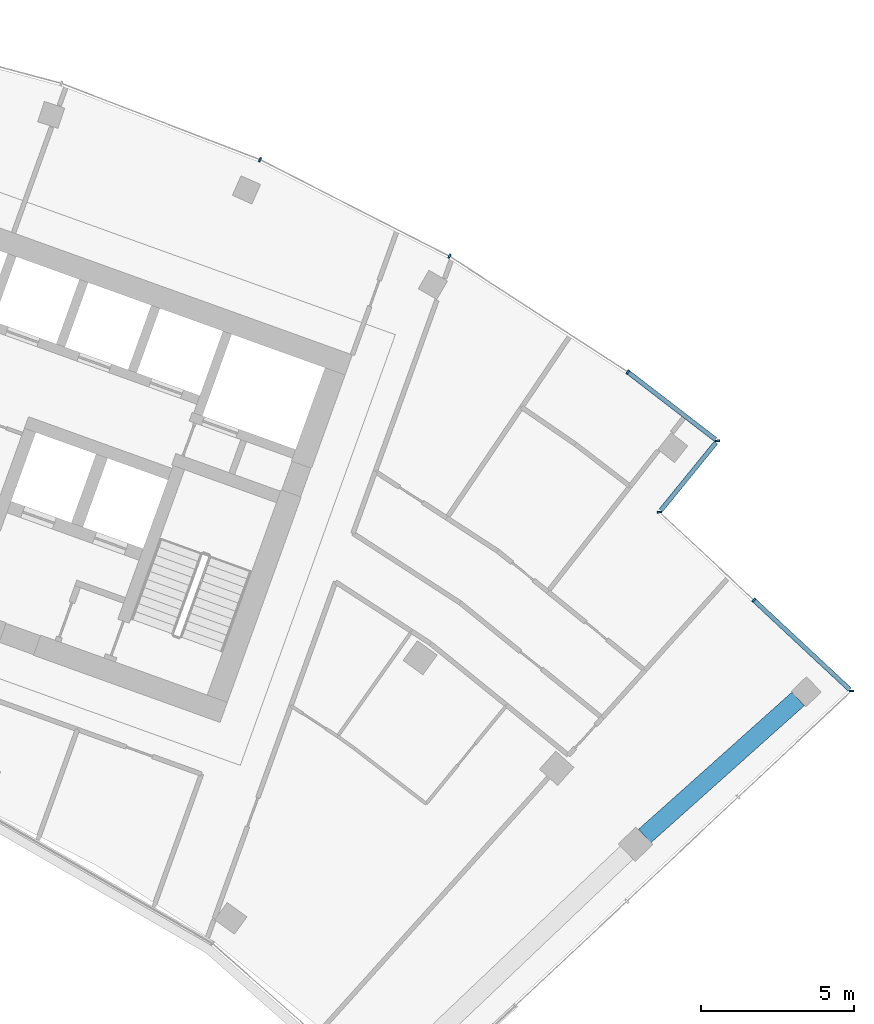
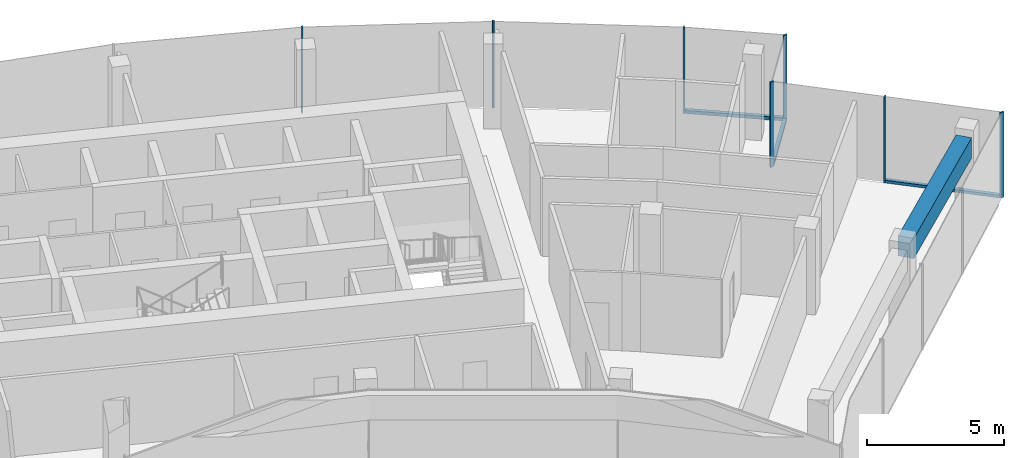
# One storey, part 9 of 18: 10 members, 1 beam, 3 elements without a shape of their own.
"""IFC4 building model written with IfcOpenShell, lengths in metres."""

from ifc_helpers import new_model, si_unit, direction, frame, origin, origin_2d, place, context, subcontext, project, spatial, rectangle, extrude, material, layer, layer_set, material_profile, profile_set, type_object, element, aggregate, save


model = new_model("IFC4")

# Units and contexts
model_context = context("Model", 3, precision=1e-05, world=origin(), true_north=direction((0.0, 1.0)))
body_context = subcontext(model_context, "Body", "Model", "MODEL_VIEW")
ifc_project = project(units=[si_unit("LENGTHUNIT", "METRE"), si_unit("AREAUNIT", "SQUARE_METRE"), si_unit("VOLUMEUNIT", "CUBIC_METRE"), si_unit("PLANEANGLEUNIT", "RADIAN"), si_unit("MASSUNIT", "GRAM", prefix="KILO")], contexts=[model_context])

# Site, building, storey
site_placement = place(None, origin())
site = spatial("IfcSite", under=ifc_project, at=site_placement, CompositionType="ELEMENT")
building_placement = place(site_placement, origin())
building = spatial("IfcBuilding", under=site, at=building_placement, Name="Stone Belt Terrace Tower", CompositionType="ELEMENT")
storey_placement = place(building_placement, frame((0.0, 0.0, 277.0)))
storey = spatial("IfcBuildingStorey", under=building, at=storey_placement, Name="L67", CompositionType="ELEMENT", Elevation=277.0)

# Curtain wall, members
ifc_material_1 = material(Name="Aluminium 6063-T6 anodised frame", Category="aluminium")
ifc_layer_1 = layer(ifc_material_1, 0.14990234375)
ifc_layer_set_1 = layer_set([ifc_layer_1], Name="CW-A unitised convex-face curtain wall")
curtain_wall_type_1 = type_object("IfcCurtainWallType", Name="CW-A unitised convex-face curtain wall", PredefinedType="NOTDEFINED", material=ifc_layer_set_1)
curtain_wall_1_placement = place(storey_placement, origin())
curtain_wall_1 = element("IfcCurtainWall", 1, at=curtain_wall_1_placement, inside=storey, type_object=curtain_wall_type_1, Name="CW-A convex face L67", PredefinedType="NOTDEFINED")
ifc_material_profile_1 = material_profile(ifc_material_1, rectangle(XDim=0.14990234375, YDim=0.06005859375, at=origin_2d()), Name="Aluminium 6063-T6 60x150")
ifc_profile_set_1 = profile_set([ifc_material_profile_1], Name="Aluminium 6063-T6 anodised frame")
member_type_1 = type_object("IfcMemberType", Name="CW-A mullion 60 x 150", PredefinedType="MULLION", material=ifc_profile_set_1)
member_1_placement = place(storey_placement, frame((42.068359375, 51.60205078125, 0.0), z_axis=(0.0, 0.0, 1.0), x_axis=(-0.993258004644, -0.115924700604, 0.0)))
member_1 = element("IfcMember", 2, at=member_1_placement, type_object=member_type_1, Name="CW-A mullion 1", PredefinedType="MULLION", context=body_context, shape_type="SweptSolid", body=[
    extrude(rectangle(XDim=0.14990234375, YDim=0.06005859375, at=origin_2d()), origin(), (0.0, 0.0, 1.0), 3.800048828125),
])
member_2_placement = place(storey_placement, frame((39.131103515625, 53.86083984375, 0.0), z_axis=(0.0, 0.0, 1.0), x_axis=(-0.577587125789, -0.816329046477, 0.0)))
member_2 = element("IfcMember", 3, at=member_2_placement, type_object=member_type_1, Name="CW-A mullion 2", PredefinedType="MULLION", context=body_context, shape_type="SweptSolid", body=[
    extrude(rectangle(XDim=0.14990234375, YDim=0.06005859375, at=origin_2d()), origin(), (0.0, 0.0, 1.0), 3.800048828125),
])
member_3_placement = place(storey_placement, frame((33.28759765625, 57.65576171875, 0.0), z_axis=(0.0, 0.0, 1.0), x_axis=(-0.5, -0.866025403784, 0.0)))
member_3 = element("IfcMember", 4, at=member_3_placement, type_object=member_type_1, Name="CW-A mullion 3", PredefinedType="MULLION", context=body_context, shape_type="SweptSolid", body=[
    extrude(rectangle(XDim=0.14990234375, YDim=0.06005859375, at=origin_2d()), origin(), (0.0, 0.0, 1.0), 3.800048828125),
])
member_4_placement = place(storey_placement, frame((27.07861328125, 60.8193359375, 0.0), z_axis=(0.0, 0.0, 1.0), x_axis=(-0.406736643076, -0.913545457643, 0.0)))
member_4 = element("IfcMember", 5, at=member_4_placement, type_object=member_type_1, Name="CW-A mullion 4", PredefinedType="MULLION", context=body_context, shape_type="SweptSolid", body=[
    extrude(rectangle(XDim=0.14990234375, YDim=0.06005859375, at=origin_2d()), origin(), (0.0, 0.0, 1.0), 3.800048828125),
])
ifc_material_profile_2 = material_profile(ifc_material_1, rectangle(XDim=0.14990234375, YDim=0.139892578125, at=origin_2d()), Name="Aluminium 6063-T6 150x140")
ifc_profile_set_2 = profile_set([ifc_material_profile_2], Name="Aluminium 6063-T6 anodised frame")
member_type_2 = type_object("IfcMemberType", Name="CW-A transom 140 x 150", PredefinedType="USERDEFINED", material=ifc_profile_set_2)
member_5_placement = place(storey_placement, frame((42.00927734375, 51.6474609375, 0.070068359375), z_axis=(-0.79269461464, 0.609618936648, 0.0), x_axis=(-0.609618936648, -0.79269461464, 0.0)))
member_5 = element("IfcMember", 6, at=member_5_placement, type_object=member_type_2, Name="CW-A transom 1.1", ObjectType="TRANSOM", PredefinedType="USERDEFINED", context=body_context, shape_type="SweptSolid", body=[
    extrude(rectangle(XDim=0.14990234375, YDim=0.139892578125, at=origin_2d()), origin(), (0.0, 0.0, 1.0), 3.597900390625),
])
aggregate(curtain_wall_1, [member_1, member_2, member_3, member_4, member_5])

ifc_layer_2 = layer(ifc_material_1, 0.14990234375)
ifc_layer_set_2 = layer_set([ifc_layer_2], Name="CW-C stick curtain wall, horn ends and notches")
curtain_wall_type_2 = type_object("IfcCurtainWallType", Name="CW-C stick curtain wall, horn ends and notches", PredefinedType="NOTDEFINED", material=ifc_layer_set_2)
curtain_wall_2_placement = place(storey_placement, origin())
curtain_wall_2 = element("IfcCurtainWall", 7, at=curtain_wall_2_placement, inside=storey, type_object=curtain_wall_type_2, Name="CW-C notch face L67", PredefinedType="NOTDEFINED")
ifc_material_profile_3 = material_profile(ifc_material_1, rectangle(XDim=0.14990234375, YDim=0.06005859375, at=origin_2d()), Name="Aluminium 6063-T6 60x150")
ifc_profile_set_3 = profile_set([ifc_material_profile_3], Name="Aluminium 6063-T6 anodised frame")
member_type_3 = type_object("IfcMemberType", Name="CW-C mullion 60 x 150", PredefinedType="MULLION", material=ifc_profile_set_3)
member_6_placement = place(storey_placement, frame((46.458740234375, 43.405517578125, 0.0), z_axis=(0.0, 0.0, 1.0), x_axis=(-0.999999447771, -0.00105093149, 0.0)))
member_6 = element("IfcMember", 8, at=member_6_placement, type_object=member_type_3, Name="CW-C mullion 1", PredefinedType="MULLION", context=body_context, shape_type="SweptSolid", body=[
    extrude(rectangle(XDim=0.14990234375, YDim=0.06005859375, at=origin_2d()), origin(), (0.0, 0.0, 1.0), 3.800048828125),
])
member_7_placement = place(storey_placement, frame((43.260009765625, 46.388671875, 0.0), z_axis=(0.0, 0.0, 1.0), x_axis=(-0.682013767261, -0.731339333871, 0.0)))
member_7 = element("IfcMember", 9, at=member_7_placement, type_object=member_type_3, Name="CW-C mullion 2", PredefinedType="MULLION", context=body_context, shape_type="SweptSolid", body=[
    extrude(rectangle(XDim=0.14990234375, YDim=0.06005859375, at=origin_2d()), origin(), (0.0, 0.0, 1.0), 3.800048828125),
])

# Curtain wall, member
curtain_wall_3_placement = place(storey_placement, origin())
curtain_wall_3 = element("IfcCurtainWall", 10, at=curtain_wall_3_placement, inside=storey, type_object=curtain_wall_type_2, Name="CW-C notch face L67", PredefinedType="NOTDEFINED")
member_8_placement = place(storey_placement, frame((40.1708984375, 49.269287109375, 0.0), z_axis=(0.0, 0.0, 1.0), x_axis=(-0.997639702696, -0.068666029474, 0.0)))
member_8 = element("IfcMember", 11, at=member_8_placement, type_object=member_type_3, Name="CW-C mullion 1", PredefinedType="MULLION", context=body_context, shape_type="SweptSolid", body=[
    extrude(rectangle(XDim=0.14990234375, YDim=0.06005859375, at=origin_2d()), origin(), (0.0, 0.0, 1.0), 3.800048828125),
])

# Member
ifc_material_profile_4 = material_profile(ifc_material_1, rectangle(XDim=0.14990234375, YDim=0.1201171875, at=origin_2d()), Name="Aluminium 6063-T6 150x120")
ifc_profile_set_4 = profile_set([ifc_material_profile_4], Name="Aluminium 6063-T6 anodised frame")
member_type_4 = type_object("IfcMemberType", Name="CW-C transom 120 x 150", PredefinedType="USERDEFINED", material=ifc_profile_set_4)
member_9_placement = place(storey_placement, frame((46.40380859375, 43.456787109375, 0.06005859375), z_axis=(-0.731353784958, 0.681998270693, 0.0), x_axis=(-0.681998270693, -0.731353784958, 0.0)))
member_9 = element("IfcMember", 12, at=member_9_placement, type_object=member_type_4, Name="CW-C transom 1.1", ObjectType="TRANSOM", PredefinedType="USERDEFINED", context=body_context, shape_type="SweptSolid", body=[
    extrude(rectangle(XDim=0.14990234375, YDim=0.1201171875, at=origin_2d()), origin(), (0.0, 0.0, 1.0), 4.268798828125),
])

aggregate(curtain_wall_2, [member_6, member_7, member_9])

member_10_placement = place(storey_placement, frame((40.217041015625, 49.325927734375, 0.06005859375), z_axis=(0.631026504781, 0.775761271439, 0.0), x_axis=(-0.775761271439, 0.631026504781, 0.0)))
member_10 = element("IfcMember", 13, at=member_10_placement, type_object=member_type_4, Name="CW-C transom 1.1", ObjectType="TRANSOM", PredefinedType="USERDEFINED", context=body_context, shape_type="SweptSolid", body=[
    extrude(rectangle(XDim=0.14990234375, YDim=0.1201171875, at=origin_2d()), origin(), (0.0, 0.0, 1.0), 2.859130859375),
])

aggregate(curtain_wall_3, [member_8, member_10])

# Beam
ifc_material_2 = material(Name="Concrete B60", Category="concrete")
ifc_material_profile_5 = material_profile(ifc_material_2, rectangle(XDim=0.60009765625, YDim=0.89990234375, at=origin_2d()), Name="RC 600x900")
ifc_profile_set_5 = profile_set([ifc_material_profile_5], Name="Concrete B60")
beam_type = type_object("IfcBeamType", Name="Edge beam RC 600x900 B60", PredefinedType="SPANDREL", material=ifc_profile_set_5)
beam_placement = place(storey_placement, frame((39.68701171875, 38.65380859375, 3.030029296875), z_axis=(0.745651125692, 0.666336550666, 0.0), x_axis=(-0.666336550666, 0.745651125692, 0.0)))
element("IfcBeam", 14, at=beam_placement, inside=storey, type_object=beam_type, Name="Edge beam L67 B Q to R", PredefinedType="SPANDREL", context=body_context, shape_type="SweptSolid", body=[
    extrude(rectangle(XDim=0.60009765625, YDim=0.89990234375, at=origin_2d()), origin(), (0.0, 0.0, 1.0), 6.744140625),
])

save(model, "model.ifc")
